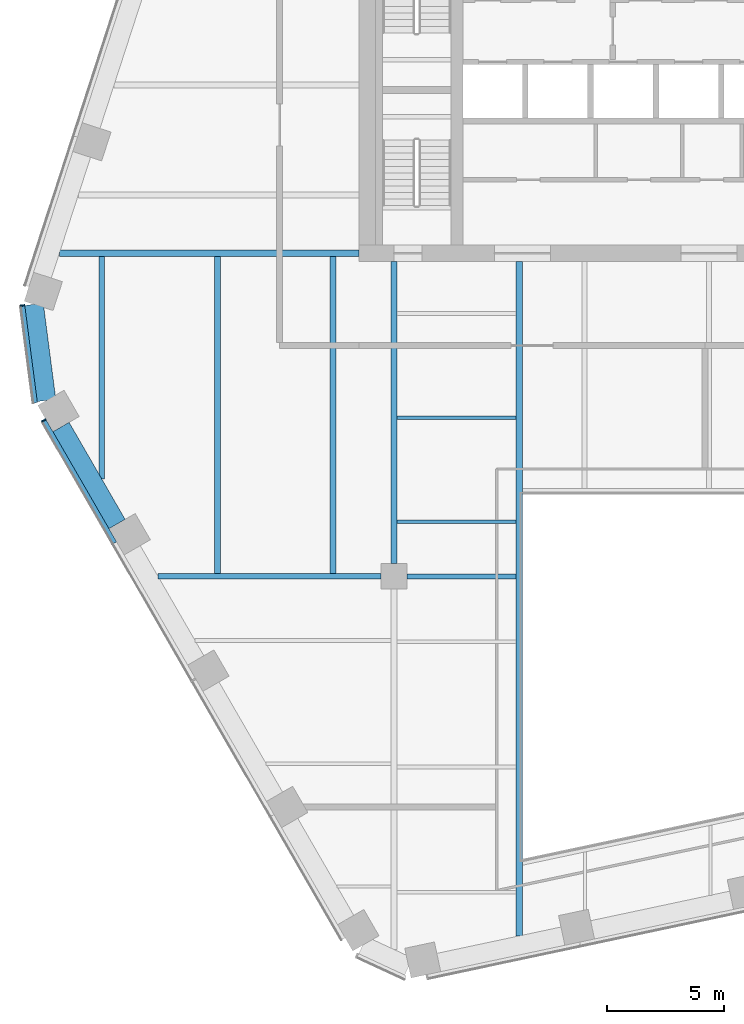
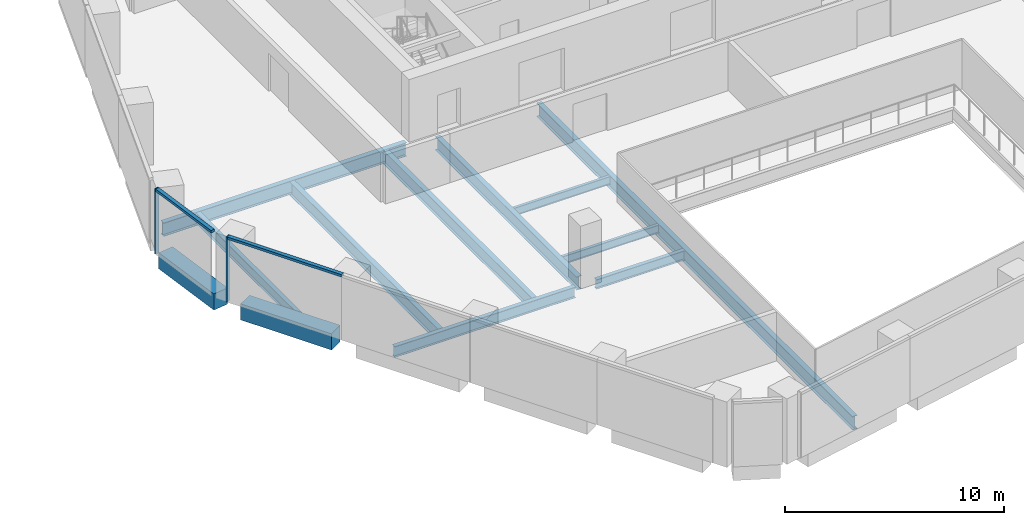
# One storey, part 3 of 16: 12 beams, 4 members, 2 elements without a shape of their own.
"""IFC4 building model written with IfcOpenShell, lengths in metres."""

from ifc_helpers import new_model, si_unit, direction, frame, origin, origin_2d, place, context, subcontext, project, spatial, rectangle, i_section, extrude, material, layer, layer_set, material_profile, profile_set, type_object, element, aggregate, save


model = new_model("IFC4")

# Units and contexts
model_context = context("Model", 3, precision=1e-05, world=origin(), true_north=direction((0.0, 1.0)))
body_context = subcontext(model_context, "Body", "Model", "MODEL_VIEW")
ifc_project = project(units=[si_unit("LENGTHUNIT", "METRE"), si_unit("AREAUNIT", "SQUARE_METRE"), si_unit("VOLUMEUNIT", "CUBIC_METRE"), si_unit("PLANEANGLEUNIT", "RADIAN"), si_unit("MASSUNIT", "GRAM", prefix="KILO")], contexts=[model_context])

# Site, building, storey
site_placement = place(None, origin())
site = spatial("IfcSite", under=ifc_project, at=site_placement, CompositionType="ELEMENT")
building_placement = place(site_placement, origin())
building = spatial("IfcBuilding", under=site, at=building_placement, Name="Isthmus Gate Tower", CompositionType="ELEMENT")
storey_placement = place(building_placement, frame((0.0, 0.0, 192.699951171875)))
storey = spatial("IfcBuildingStorey", under=building, at=storey_placement, Name="L48", CompositionType="ELEMENT", Elevation=192.699951171875)

# Curtain wall, member
ifc_material_1 = material(Name="Aluminium, pale champagne anodised", Category="aluminium")
ifc_layer = layer(ifc_material_1, 0.199951171875)
ifc_layer_set = layer_set([ifc_layer], Name="CW-1 UNITISED CURTAIN WALL 200 DEEP")
curtain_wall_type = type_object("IfcCurtainWallType", Name="CW-1 UNITISED CURTAIN WALL 200 DEEP", PredefinedType="NOTDEFINED", material=ifc_layer_set)
curtain_wall_1_placement = place(storey_placement, origin())
curtain_wall_1 = element("IfcCurtainWall", 1, at=curtain_wall_1_placement, inside=storey, type_object=curtain_wall_type, Name="CW-1 NW-SW L48", PredefinedType="NOTDEFINED")
ifc_material_2 = material(Name="Aluminium, pale champagne anodised", Category="aluminium")
ifc_material_profile_1 = material_profile(ifc_material_2, rectangle(XDim=0.06005859375, YDim=0.199951171875, at=origin_2d()), Name="60x200")
ifc_profile_set_1 = profile_set([ifc_material_profile_1], Name="Aluminium, pale champagne anodised")
member_type_1 = type_object("IfcMemberType", Name="CW-1 MULLION 60 X 200", PredefinedType="MULLION", material=ifc_profile_set_1)
member_1_placement = place(storey_placement, frame((-29.42724609375, -1.88525390625, 0.0), z_axis=(0.0, 0.0, 1.0), x_axis=(0.129164534, -0.991623175988, 0.0)))
member_1 = element("IfcMember", 2, at=member_1_placement, type_object=member_type_1, Name="CW-1 mullion", PredefinedType="MULLION", context=body_context, shape_type="SweptSolid", body=[
    extrude(rectangle(XDim=0.06005859375, YDim=0.199951171875, at=origin_2d()), origin(), (0.0, 0.0, 1.0), 3.650146484375),
])

curtain_wall_2_placement = place(storey_placement, origin())
curtain_wall_2 = element("IfcCurtainWall", 3, at=curtain_wall_2_placement, inside=storey, type_object=curtain_wall_type, Name="CW-1 SW L48", PredefinedType="NOTDEFINED")
member_2_placement = place(storey_placement, frame((-28.5146484375, -6.811279296875, 0.0), z_axis=(0.0, 0.0, 1.0), x_axis=(0.5, -0.866025403784, 0.0)))
member_2 = element("IfcMember", 4, at=member_2_placement, type_object=member_type_1, Name="CW-1 mullion", PredefinedType="MULLION", context=body_context, shape_type="SweptSolid", body=[
    extrude(rectangle(XDim=0.06005859375, YDim=0.199951171875, at=origin_2d()), origin(), (0.0, 0.0, 1.0), 3.650146484375),
])

# Member
ifc_material_3 = material(Name="Aluminium, pale champagne anodised", Category="aluminium")
ifc_material_profile_2 = material_profile(ifc_material_3, rectangle(XDim=0.199951171875, YDim=0.139892578125, at=origin_2d()), Name="200x140")
ifc_profile_set_2 = profile_set([ifc_material_profile_2], Name="Aluminium, pale champagne anodised")
member_type_2 = type_object("IfcMemberType", Name="CW-1 TRANSOM 200 X 140", PredefinedType="USERDEFINED", material=ifc_profile_set_2)
member_3_placement = place(storey_placement, frame((-29.42333984375, -1.9150390625, 3.580078125), z_axis=(0.129149481977, -0.991625136483, 0.0), x_axis=(0.991625136483, 0.129149481977, 0.0)))
member_3 = element("IfcMember", 5, at=member_3_placement, type_object=member_type_2, Name="CW-1 transom", ObjectType="TRANSOM", PredefinedType="USERDEFINED", context=body_context, shape_type="SweptSolid", body=[
    extrude(rectangle(XDim=0.199951171875, YDim=0.139892578125, at=origin_2d()), origin(), (0.0, 0.0, 1.0), 4.181396484375),
])

aggregate(curtain_wall_1, [member_1, member_3])

member_4_placement = place(storey_placement, frame((-28.49951171875, -6.837158203125, 3.580078125), z_axis=(0.499990697366, -0.866030774596, 0.0), x_axis=(0.866030774596, 0.499990697366, 0.0)))
member_4 = element("IfcMember", 6, at=member_4_placement, type_object=member_type_2, Name="CW-1 transom", ObjectType="TRANSOM", PredefinedType="USERDEFINED", context=body_context, shape_type="SweptSolid", body=[
    extrude(rectangle(XDim=0.199951171875, YDim=0.139892578125, at=origin_2d()), origin(), (0.0, 0.0, 1.0), 6.0400390625),
])

aggregate(curtain_wall_2, [member_2, member_4])

# Beams
ifc_material_4 = material(Name="Concrete f'c 60 MPa", Category="concrete")
ifc_material_profile_3 = material_profile(ifc_material_4, rectangle(XDim=0.800048828125, YDim=0.89990234375, at=origin_2d()), Name="RC 800X900")
ifc_profile_set_3 = profile_set([ifc_material_profile_3], Name="Concrete f'c 60 MPa")
beam_type_1 = type_object("IfcBeamType", Name="RC SPANDREL 800 X 900", PredefinedType="SPANDREL", material=ifc_profile_set_3)
beam_1_placement = place(storey_placement, frame((-25.37158203125, -11.255126953125, -0.449951171875), z_axis=(-0.499979284789, 0.866037363387, 0.0), x_axis=(-0.866037363387, -0.499979284789, 0.0)))
element("IfcBeam", 7, at=beam_1_placement, inside=storey, type_object=beam_type_1, Name="str-spandrel-L48-19", PredefinedType="SPANDREL", context=body_context, shape_type="SweptSolid", body=[
    extrude(rectangle(XDim=0.800048828125, YDim=0.89990234375, at=origin_2d()), origin(), (0.0, 0.0, 1.0), 4.800048828125),
])
beam_2_placement = place(storey_placement, frame((-28.392822265625, -5.955810546875, -0.449951171875), z_axis=(-0.129170777359, 0.991622362735, 0.0), x_axis=(-0.991622362735, -0.129170777359, 0.0)))
element("IfcBeam", 8, at=beam_2_placement, inside=storey, type_object=beam_type_1, Name="str-spandrel-L48-20", PredefinedType="SPANDREL", context=body_context, shape_type="SweptSolid", body=[
    extrude(rectangle(XDim=0.800048828125, YDim=0.89990234375, at=origin_2d()), origin(), (0.0, 0.0, 1.0), 4.15234375),
])
ifc_material_5 = material(Name="Structural steel ASTM A992 Gr 50", Category="steel")
ifc_material_profile_4 = material_profile(ifc_material_5, i_section(OverallWidth=0.15234375, OverallDepth=0.45068359375, WebThickness=0.0078125, FlangeThickness=0.010986328125, at=origin_2d()), Name="W18X35")
ifc_profile_set_4 = profile_set([ifc_material_profile_4], Name="Structural steel ASTM A992 Gr 50")
beam_type_2 = type_object("IfcBeamType", Name="STEEL FLOOR BEAM W18X35", PredefinedType="JOIST", material=ifc_profile_set_4)
for number, where, z_axis, x_axis, name in (
    (9, (-13.3681640625, -11.16259765625, -0.375244140625), (1.0, 0.0, 0.0), (0.0, 1.0, 0.0), "str-beam-L48-04-00"),
    (10, (-13.3681640625, -6.697509765625, -0.375244140625), (1.0, 0.0, 0.0), (0.0, 1.0, 0.0), "str-beam-L48-04-01"),
):
    element("IfcBeam", number, at=place(storey_placement, frame(where, z_axis=z_axis, x_axis=x_axis)), inside=storey, type_object=beam_type_2, Name=name, PredefinedType="JOIST", context=body_context, shape_type="SweptSolid", body=[
        extrude(i_section(OverallWidth=0.15234375, OverallDepth=0.45068359375, WebThickness=0.0078125, FlangeThickness=0.010986328125, at=origin_2d()), origin(), (0.0, 0.0, 1.0), 5.1015625),
    ])
ifc_material_6 = material(Name="Structural steel ASTM A992 Gr 50", Category="steel")
ifc_material_profile_5 = material_profile(ifc_material_6, i_section(OverallWidth=0.228515625, OverallDepth=0.603271484375, WebThickness=0.010986328125, FlangeThickness=0.014404296875, at=origin_2d()), Name="W24X68")
ifc_profile_set_5 = profile_set([ifc_material_profile_5], Name="Structural steel ASTM A992 Gr 50")
beam_type_3 = type_object("IfcBeamType", Name="STEEL FLOOR BEAM W24X68", PredefinedType="JOIST", material=ifc_profile_set_5)
beam_3_placement = place(storey_placement, frame((-26.028564453125, -9.317138671875, -0.45166015625), z_axis=(0.0, 1.0, 0.0), x_axis=(-1.0, 0.0, 0.0)))
element("IfcBeam", 11, at=beam_3_placement, inside=storey, type_object=beam_type_3, Name="str-beam-L48-00-00", PredefinedType="JOIST", context=body_context, shape_type="SweptSolid", body=[
    extrude(i_section(OverallWidth=0.228515625, OverallDepth=0.603271484375, WebThickness=0.010986328125, FlangeThickness=0.014404296875, at=origin_2d()), origin(), (0.0, 0.0, 1.0), 9.535400390625),
])
ifc_material_7 = material(Name="Structural steel ASTM A992 Gr 50", Category="steel")
ifc_material_profile_6 = material_profile(ifc_material_7, i_section(OverallWidth=0.263427734375, OverallDepth=0.749267578125, WebThickness=0.0126953125, FlangeThickness=0.015869140625, at=origin_2d()), Name="W30X90")
ifc_profile_set_6 = profile_set([ifc_material_profile_6], Name="Structural steel ASTM A992 Gr 50")
beam_type_4 = type_object("IfcBeamType", Name="STEEL FLOOR BEAM W30X90", PredefinedType="JOIST", material=ifc_profile_set_6)
for number, where, z_axis, x_axis, name in (
    (12, (-21.06982421875, -13.3857421875, -0.524658203125), (0.0, 1.0, 0.0), (-1.0, 0.0, 0.0), "str-beam-L48-00-01"),
    (13, (-16.111083984375, -13.3857421875, -0.524658203125), (0.0, 1.0, 0.0), (-1.0, 0.0, 0.0), "str-beam-L48-00-02"),
):
    element("IfcBeam", number, at=place(storey_placement, frame(where, z_axis=z_axis, x_axis=x_axis)), inside=storey, type_object=beam_type_4, Name=name, PredefinedType="JOIST", context=body_context, shape_type="SweptSolid", body=[
        extrude(i_section(OverallWidth=0.263427734375, OverallDepth=0.749267578125, WebThickness=0.0126953125, FlangeThickness=0.015869140625, at=origin_2d()), origin(), (0.0, 0.0, 1.0), 13.60400390625),
    ])
ifc_material_8 = material(Name="Structural steel ASTM A992 Gr 50", Category="steel")
ifc_material_profile_7 = material_profile(ifc_material_8, i_section(OverallWidth=0.20947265625, OverallDepth=0.533447265625, WebThickness=0.009521484375, FlangeThickness=0.015869140625, at=origin_2d()), Name="W21X62")
ifc_profile_set_7 = profile_set([ifc_material_profile_7], Name="Structural steel ASTM A992 Gr 50")
beam_type_5 = type_object("IfcBeamType", Name="STEEL GIRDER W21X62", PredefinedType="BEAM", material=ifc_profile_set_7)
beam_4_placement = place(storey_placement, frame((-12.949951171875, -13.5, -0.416748046875), z_axis=(1.0, 0.0, 0.0), x_axis=(0.0, 1.0, 0.0)))
element("IfcBeam", 14, at=beam_4_placement, inside=storey, type_object=beam_type_5, Name="str-girder-L48-02", PredefinedType="BEAM", context=body_context, shape_type="SweptSolid", body=[
    extrude(i_section(OverallWidth=0.20947265625, OverallDepth=0.533447265625, WebThickness=0.009521484375, FlangeThickness=0.015869140625, at=origin_2d()), origin(), (0.0, 0.0, 1.0), 4.683349609375),
])
ifc_material_9 = material(Name="Structural steel ASTM A992 Gr 50", Category="steel")
ifc_material_profile_8 = material_profile(ifc_material_9, i_section(OverallWidth=0.228515625, OverallDepth=0.6064453125, WebThickness=0.010986328125, FlangeThickness=0.017578125, at=origin_2d()), Name="W24X76")
ifc_profile_set_8 = profile_set([ifc_material_profile_8], Name="Structural steel ASTM A992 Gr 50")
beam_type_6 = type_object("IfcBeamType", Name="STEEL GIRDER W24X76", PredefinedType="BEAM", material=ifc_profile_set_8)
beam_5_placement = place(storey_placement, frame((-23.613525390625, -13.5, -0.453125), z_axis=(1.0, 0.0, 0.0), x_axis=(0.0, 1.0, 0.0)))
element("IfcBeam", 15, at=beam_5_placement, inside=storey, type_object=beam_type_6, Name="str-girder-L48-01", PredefinedType="BEAM", context=body_context, shape_type="SweptSolid", body=[
    extrude(i_section(OverallWidth=0.228515625, OverallDepth=0.6064453125, WebThickness=0.010986328125, FlangeThickness=0.017578125, at=origin_2d()), origin(), (0.0, 0.0, 1.0), 9.5634765625),
])
ifc_material_10 = material(Name="Structural steel ASTM A992 Gr 50", Category="steel")
ifc_material_profile_9 = material_profile(ifc_material_10, i_section(OverallWidth=0.263427734375, OverallDepth=0.749267578125, WebThickness=0.0126953125, FlangeThickness=0.015869140625, at=origin_2d()), Name="W30X90")
ifc_profile_set_9 = profile_set([ifc_material_profile_9], Name="Structural steel ASTM A992 Gr 50")
beam_type_7 = type_object("IfcBeamType", Name="STEEL GIRDER W30X90", PredefinedType="BEAM", material=ifc_profile_set_9)
beam_6_placement = place(storey_placement, frame((-13.5, -12.949951171875, -0.524658203125), z_axis=(0.0, 1.0, 0.0), x_axis=(-1.0, 0.0, 0.0)))
element("IfcBeam", 16, at=beam_6_placement, inside=storey, type_object=beam_type_7, Name="str-girder-L48-08", PredefinedType="BEAM", context=body_context, shape_type="SweptSolid", body=[
    extrude(i_section(OverallWidth=0.263427734375, OverallDepth=0.749267578125, WebThickness=0.0126953125, FlangeThickness=0.015869140625, at=origin_2d()), origin(), (0.0, 0.0, 1.0), 12.949951171875),
])
beam_7_placement = place(storey_placement, frame((-15.0, 0.35009765625, -0.524658203125), z_axis=(-1.0, 0.0, 0.0), x_axis=(0.0, -1.0, 0.0)))
element("IfcBeam", 17, at=beam_7_placement, inside=storey, type_object=beam_type_7, Name="str-girder-L48-13", PredefinedType="BEAM", context=body_context, shape_type="SweptSolid", body=[
    extrude(i_section(OverallWidth=0.263427734375, OverallDepth=0.749267578125, WebThickness=0.0126953125, FlangeThickness=0.015869140625, at=origin_2d()), origin(), (0.0, 0.0, 1.0), 12.8427734375),
])
ifc_material_11 = material(Name="Structural steel ASTM A992 Gr 50", Category="steel")
ifc_material_profile_10 = material_profile(ifc_material_11, i_section(OverallWidth=0.2666015625, OverallDepth=0.7587890625, WebThickness=0.014404296875, FlangeThickness=0.01904296875, at=origin_2d()), Name="W30X108")
ifc_profile_set_10 = profile_set([ifc_material_profile_10], Name="Structural steel ASTM A992 Gr 50")
beam_type_8 = type_object("IfcBeamType", Name="STEEL TRIMMER W30X108", PredefinedType="BEAM", material=ifc_profile_set_10)
beam_8_placement = place(storey_placement, frame((-8.13330078125, 0.0, -0.529296875), z_axis=(0.0, -1.0, 0.0), x_axis=(1.0, 0.0, 0.0)))
element("IfcBeam", 18, at=beam_8_placement, inside=storey, type_object=beam_type_8, Name="str-trimmer-L48-02", PredefinedType="BEAM", context=body_context, shape_type="SweptSolid", body=[
    extrude(i_section(OverallWidth=0.2666015625, OverallDepth=0.7587890625, WebThickness=0.014404296875, FlangeThickness=0.01904296875, at=origin_2d()), origin(), (0.0, 0.0, 1.0), 28.910888671875),
])

save(model, "model.ifc")
